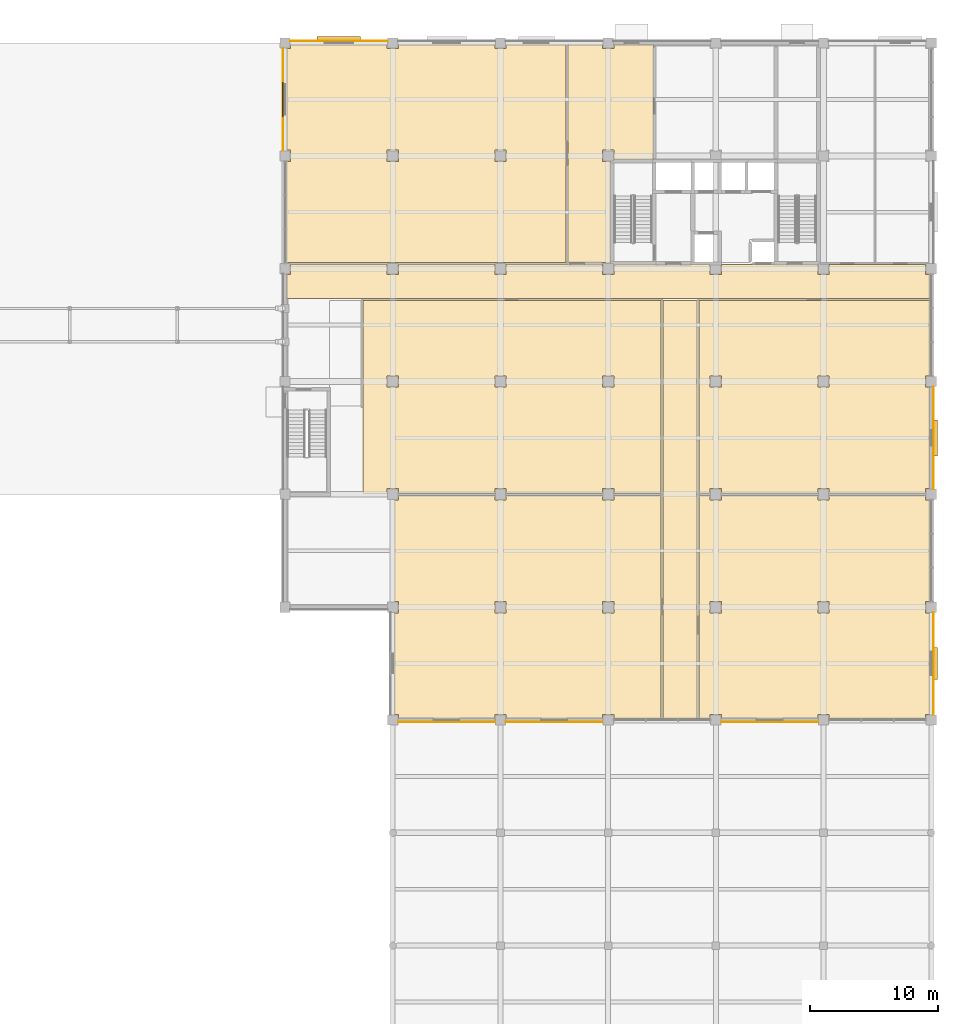
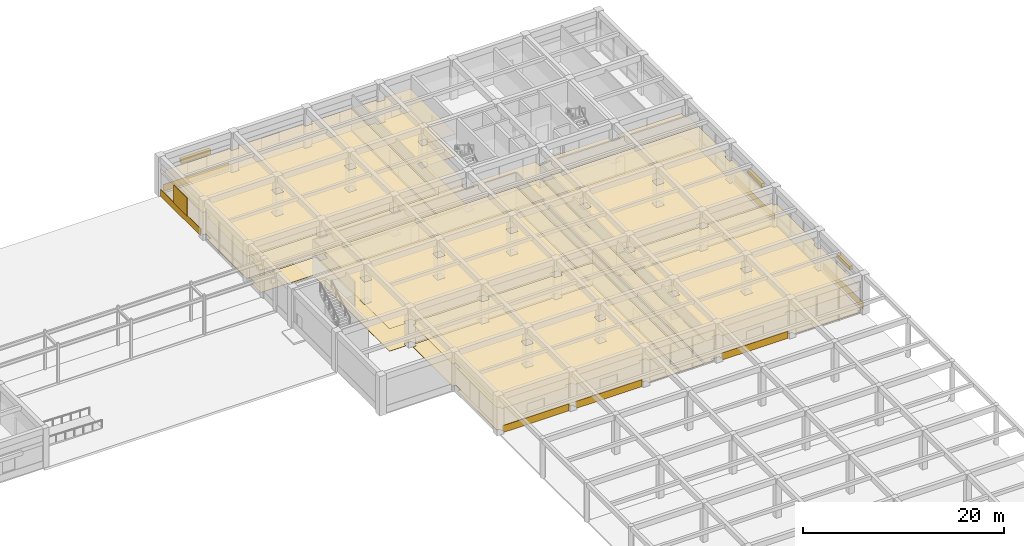
# One storey, part 56 of 58: 23 coverings, 4 shading devices.
"""IFC4 building model written with IfcOpenShell, lengths in metres."""

from ifc_helpers import new_model, si_unit, direction, frame, origin, origin_2d, place, context, subcontext, project, spatial, polyline, rectangle, outline, extrude, material, layer, layer_set, type_object, element, save


model = new_model("IFC4")

# Units and contexts
model_context = context("Model", 3, precision=1e-05, world=origin(), true_north=direction((0.0, 1.0)))
body_context = subcontext(model_context, "Body", "Model", "MODEL_VIEW")
ifc_project = project(units=[si_unit("LENGTHUNIT", "METRE"), si_unit("AREAUNIT", "SQUARE_METRE"), si_unit("VOLUMEUNIT", "CUBIC_METRE"), si_unit("PLANEANGLEUNIT", "RADIAN"), si_unit("MASSUNIT", "GRAM", prefix="KILO")], contexts=[model_context])

# Site, building, storey
site_placement = place(None, origin())
site = spatial("IfcSite", under=ifc_project, at=site_placement, CompositionType="ELEMENT")
building_placement = place(site_placement, origin())
building = spatial("IfcBuilding", under=site, at=building_placement, Name="Kemercrest Conservatory and Botanical Centre", CompositionType="ELEMENT")
storey_placement = place(building_placement, origin())
storey = spatial("IfcBuildingStorey", under=building, at=storey_placement, Name="L00", CompositionType="ELEMENT", Elevation=0.0)

# Coverings
ifc_material_1 = material(Name="Honed limestone almasik ashlar rainscreen", Category="masonry")
ifc_layer_1 = layer(ifc_material_1, 0.0400390625)
ifc_layer_set_1 = layer_set([ifc_layer_1], Name="Honed limestone almasik ashlar rainscreen")
covering_type_1 = type_object("IfcCoveringType", Name="CV-CLD040", PredefinedType="CLADDING", material=ifc_layer_set_1)
covering_1_placement = place(storey_placement, origin())
element("IfcCovering", 1, at=covering_1_placement, inside=storey, type_object=covering_type_1, Name="Exterior stone spandrel cladding (WAL:L00:EXT-158)", PredefinedType="CLADDING", context=body_context, shape_type="SweptSolid", body=[
    extrude(outline(polyline([(134.409912109375, 69.449951171875), (134.409912109375, 69.409912109375), (141.989990234375, 69.409912109375), (141.989990234375, 69.449951171875), (134.409912109375, 69.449951171875)])), origin(), (0.0, 0.0, 1.0), 0.85009765625),
])
covering_2_placement = place(storey_placement, origin())
element("IfcCovering", 2, at=covering_2_placement, inside=storey, type_object=covering_type_1, Name="Exterior stone spandrel cladding (WAL:L00:EXT-159)", PredefinedType="CLADDING", context=body_context, shape_type="SweptSolid", body=[
    extrude(outline(polyline([(142.81005859375, 69.449951171875), (142.81005859375, 69.409912109375), (150.389892578125, 69.409912109375), (150.389892578125, 69.449951171875), (142.81005859375, 69.449951171875)])), origin(), (0.0, 0.0, 1.0), 0.85009765625),
])
covering_3_placement = place(storey_placement, origin())
element("IfcCovering", 3, at=covering_3_placement, inside=storey, type_object=covering_type_1, Name="Exterior stone spandrel cladding (WAL:L00:EXT-160)", PredefinedType="CLADDING", context=body_context, shape_type="SweptSolid", body=[
    extrude(outline(polyline([(159.610107421875, 69.449951171875), (159.610107421875, 69.409912109375), (167.18994140625, 69.409912109375), (167.18994140625, 69.449951171875), (159.610107421875, 69.449951171875)])), origin(), (0.0, 0.0, 1.0), 0.85009765625),
])
covering_4_placement = place(storey_placement, origin())
element("IfcCovering", 4, at=covering_4_placement, inside=storey, type_object=covering_type_1, Name="Exterior stone spandrel cladding (WAL:L00:EXT-161)", PredefinedType="CLADDING", context=body_context, shape_type="SweptSolid", body=[
    extrude(outline(polyline([(176.14990234375, 70.010009765625), (176.18994140625, 70.010009765625), (176.18994140625, 77.989990234375), (176.14990234375, 77.989990234375), (176.14990234375, 70.010009765625)])), origin(), (0.0, 0.0, 1.0), 0.85009765625),
])
covering_5_placement = place(storey_placement, origin())
element("IfcCovering", 5, at=covering_5_placement, inside=storey, type_object=covering_type_1, Name="Exterior stone spandrel cladding (WAL:L00:EXT-162)", PredefinedType="CLADDING", context=body_context, shape_type="SweptSolid", body=[
    extrude(outline(polyline([(176.14990234375, 87.610107421875), (176.18994140625, 87.610107421875), (176.18994140625, 95.590087890625), (176.14990234375, 95.590087890625), (176.14990234375, 87.610107421875)])), origin(), (0.0, 0.0, 1.0), 0.85009765625),
])
covering_6_placement = place(storey_placement, origin())
element("IfcCovering", 6, at=covering_6_placement, inside=storey, type_object=covering_type_1, Name="Exterior stone spandrel cladding (WAL:L00:EXT-169)", PredefinedType="CLADDING", context=body_context, shape_type="SweptSolid", body=[
    extrude(outline(polyline([(133.590087890625, 122.550048828125), (133.590087890625, 122.590087890625), (126.010009765625, 122.590087890625), (126.010009765625, 122.550048828125), (133.590087890625, 122.550048828125)])), origin(), (0.0, 0.0, 1.0), 0.85009765625),
])
covering_7_placement = place(storey_placement, origin())
element("IfcCovering", 7, at=covering_7_placement, inside=storey, type_object=covering_type_1, Name="Exterior stone spandrel cladding (WAL:L00:EXT-170)", PredefinedType="CLADDING", context=body_context, shape_type="SweptSolid", body=[
    extrude(outline(polyline([(125.449951171875, 121.989990234375), (125.409912109375, 121.989990234375), (125.409912109375, 114.010009765625), (125.449951171875, 114.010009765625), (125.449951171875, 121.989990234375)])), origin(), (0.0, 0.0, 1.0), 0.85009765625),
])
ifc_material_2 = material(Name="Perforated acoustic gypsum and mineral-fibre suspended ceiling", Category="gypsum")
ifc_layer_2 = layer(ifc_material_2, 0.034912109375)
ifc_layer_set_2 = layer_set([ifc_layer_2], Name="Perforated acoustic gypsum and mineral-fibre suspended ceiling")
covering_type_2 = type_object("IfcCoveringType", Name="CV-CLG035", PredefinedType="CEILING", material=ifc_layer_set_2)
covering_8_placement = place(storey_placement, frame((0.0, 0.0, 2.699951171875)))
element("IfcCovering", 8, at=covering_8_placement, inside=storey, type_object=covering_type_2, Name="North Exit Passage A suspended acoustic ceiling", PredefinedType="CEILING", context=body_context, shape_type="SweptSolid", body=[
    extrude(outline(polyline([(147.679931640625, 122.320068359375), (147.679931640625, 105.280029296875), (151.02001953125, 105.280029296875), (151.02001953125, 113.159912109375), (150.360107421875, 113.159912109375), (150.360107421875, 114.0400390625), (151.239990234375, 114.0400390625), (151.239990234375, 113.280029296875), (154.320068359375, 113.280029296875), (154.320068359375, 122.320068359375), (151.239990234375, 122.320068359375), (151.239990234375, 121.9599609375), (150.360107421875, 121.9599609375), (150.360107421875, 122.320068359375), (147.679931640625, 122.320068359375)])), origin(), (0.0, 0.0, 1.0), 0.03515625),
])
covering_9_placement = place(storey_placement, frame((0.0, 0.0, 2.699951171875)))
element("IfcCovering", 9, at=covering_9_placement, inside=storey, type_object=covering_type_2, Name="Tower Protected Exit Corridor suspended acoustic ceiling", PredefinedType="CEILING", context=body_context, shape_type="SweptSolid", body=[
    extrude(outline(polyline([(125.679931640625, 102.47998046875), (175.919921875, 102.47998046875), (175.919921875, 104.360107421875), (175.56005859375, 104.360107421875), (175.56005859375, 105.1201171875), (168.0400390625, 105.1201171875), (168.0400390625, 104.360107421875), (167.159912109375, 104.360107421875), (167.159912109375, 105.1201171875), (159.639892578125, 105.1201171875), (159.639892578125, 104.360107421875), (158.760009765625, 104.360107421875), (158.760009765625, 105.1201171875), (151.239990234375, 105.1201171875), (151.239990234375, 104.360107421875), (150.360107421875, 104.360107421875), (150.360107421875, 105.1201171875), (142.840087890625, 105.1201171875), (142.840087890625, 104.360107421875), (141.9599609375, 104.360107421875), (141.9599609375, 105.1201171875), (134.43994140625, 105.1201171875), (134.43994140625, 104.360107421875), (133.56005859375, 104.360107421875), (133.56005859375, 105.1201171875), (126.0400390625, 105.1201171875), (126.0400390625, 104.360107421875), (125.679931640625, 104.360107421875), (125.679931640625, 102.47998046875)])), origin(), (0.0, 0.0, 1.0), 0.03515625),
])
covering_10_placement = place(storey_placement, frame((0.0, 0.0, 2.699951171875)))
element("IfcCovering", 10, at=covering_10_placement, inside=storey, type_object=covering_type_2, Name="South Wing Corridor suspended acoustic ceiling", PredefinedType="CEILING", context=body_context, shape_type="SweptSolid", body=[
    extrude(outline(polyline([(155.080078125, 69.679931640625), (157.719970703125, 69.679931640625), (157.719970703125, 102.320068359375), (155.080078125, 102.320068359375), (155.080078125, 69.679931640625)])), origin(), (0.0, 0.0, 1.0), 0.03515625),
])
covering_11_placement = place(storey_placement, frame((0.0, 0.0, 2.699951171875)))
element("IfcCovering", 11, at=covering_11_placement, inside=storey, type_object=covering_type_2, Name="Tower Entrance Hall suspended acoustic ceiling", PredefinedType="CEILING", context=body_context, shape_type="SweptSolid", body=[
    extrude(outline(polyline([(150.360107421875, 70.0400390625), (151.239990234375, 70.0400390625), (151.239990234375, 69.679931640625), (154.919921875, 69.679931640625), (154.919921875, 87.1201171875), (151.239990234375, 87.1201171875), (151.239990234375, 86.760009765625), (150.360107421875, 86.760009765625), (150.360107421875, 87.1201171875), (142.840087890625, 87.1201171875), (142.840087890625, 86.760009765625), (141.9599609375, 86.760009765625), (141.9599609375, 87.1201171875), (134.43994140625, 87.1201171875), (134.43994140625, 86.760009765625), (134.080078125, 86.760009765625), (134.080078125, 78.840087890625), (134.43994140625, 78.840087890625), (134.43994140625, 77.9599609375), (134.080078125, 77.9599609375), (134.080078125, 70.0400390625), (134.43994140625, 70.0400390625), (134.43994140625, 69.679931640625), (141.9599609375, 69.679931640625), (141.9599609375, 70.0400390625), (142.840087890625, 70.0400390625), (142.840087890625, 69.679931640625), (150.360107421875, 69.679931640625), (150.360107421875, 70.0400390625)]), holes=[polyline([(150.360107421875, 77.9599609375), (150.360107421875, 78.840087890625), (151.239990234375, 78.840087890625), (151.239990234375, 77.9599609375), (150.360107421875, 77.9599609375)]), polyline([(141.9599609375, 77.9599609375), (141.9599609375, 78.840087890625), (142.840087890625, 78.840087890625), (142.840087890625, 77.9599609375), (141.9599609375, 77.9599609375)])]), origin(), (0.0, 0.0, 1.0), 0.03515625),
])
covering_12_placement = place(storey_placement, frame((0.0, 0.0, 2.699951171875)))
element("IfcCovering", 12, at=covering_12_placement, inside=storey, type_object=covering_type_2, Name="Herbarium Receiving and Quarantine Laboratory suspended acoustic ceiling", PredefinedType="CEILING", context=body_context, shape_type="SweptSolid", body=[
    extrude(outline(polyline([(167.159912109375, 70.0400390625), (168.0400390625, 70.0400390625), (168.0400390625, 69.679931640625), (175.56005859375, 69.679931640625), (175.56005859375, 70.0400390625), (175.919921875, 70.0400390625), (175.919921875, 77.9599609375), (175.56005859375, 77.9599609375), (175.56005859375, 78.840087890625), (175.919921875, 78.840087890625), (175.919921875, 86.760009765625), (175.56005859375, 86.760009765625), (175.56005859375, 87.1201171875), (168.0400390625, 87.1201171875), (168.0400390625, 86.760009765625), (167.159912109375, 86.760009765625), (167.159912109375, 87.1201171875), (159.639892578125, 87.1201171875), (159.639892578125, 86.760009765625), (158.760009765625, 86.760009765625), (158.760009765625, 87.1201171875), (157.8798828125, 87.1201171875), (157.8798828125, 69.679931640625), (158.760009765625, 69.679931640625), (158.760009765625, 70.0400390625), (159.639892578125, 70.0400390625), (159.639892578125, 69.679931640625), (167.159912109375, 69.679931640625), (167.159912109375, 70.0400390625)]), holes=[polyline([(167.159912109375, 77.9599609375), (167.159912109375, 78.840087890625), (168.0400390625, 78.840087890625), (168.0400390625, 77.9599609375), (167.159912109375, 77.9599609375)]), polyline([(158.760009765625, 77.9599609375), (158.760009765625, 78.840087890625), (159.639892578125, 78.840087890625), (159.639892578125, 77.9599609375), (158.760009765625, 77.9599609375)])]), origin(), (0.0, 0.0, 1.0), 0.03515625),
])
covering_13_placement = place(storey_placement, frame((0.0, 0.0, 2.699951171875)))
element("IfcCovering", 13, at=covering_13_placement, inside=storey, type_object=covering_type_2, Name="Botanical Specimen Intake Studio suspended acoustic ceiling", PredefinedType="CEILING", context=body_context, shape_type="SweptSolid", body=[
    extrude(outline(polyline([(150.360107421875, 87.639892578125), (151.239990234375, 87.639892578125), (151.239990234375, 87.280029296875), (154.919921875, 87.280029296875), (154.919921875, 102.320068359375), (131.679931640625, 102.320068359375), (131.679931640625, 87.280029296875), (133.56005859375, 87.280029296875), (133.56005859375, 87.639892578125), (134.43994140625, 87.639892578125), (134.43994140625, 87.280029296875), (141.9599609375, 87.280029296875), (141.9599609375, 87.639892578125), (142.840087890625, 87.639892578125), (142.840087890625, 87.280029296875), (150.360107421875, 87.280029296875), (150.360107421875, 87.639892578125)]), holes=[polyline([(150.360107421875, 95.56005859375), (150.360107421875, 96.43994140625), (151.239990234375, 96.43994140625), (151.239990234375, 95.56005859375), (150.360107421875, 95.56005859375)]), polyline([(141.9599609375, 95.56005859375), (141.9599609375, 96.43994140625), (142.840087890625, 96.43994140625), (142.840087890625, 95.56005859375), (141.9599609375, 95.56005859375)]), polyline([(133.56005859375, 95.56005859375), (133.56005859375, 96.43994140625), (134.43994140625, 96.43994140625), (134.43994140625, 95.56005859375), (133.56005859375, 95.56005859375)])]), origin(), (0.0, 0.0, 1.0), 0.03515625),
])
covering_14_placement = place(storey_placement, frame((0.0, 0.0, 2.699951171875)))
element("IfcCovering", 14, at=covering_14_placement, inside=storey, type_object=covering_type_2, Name="Wet Botanical Research Laboratory suspended acoustic ceiling", PredefinedType="CEILING", context=body_context, shape_type="SweptSolid", body=[
    extrude(outline(polyline([(167.159912109375, 87.639892578125), (168.0400390625, 87.639892578125), (168.0400390625, 87.280029296875), (175.56005859375, 87.280029296875), (175.56005859375, 87.639892578125), (175.919921875, 87.639892578125), (175.919921875, 95.56005859375), (175.56005859375, 95.56005859375), (175.56005859375, 96.43994140625), (175.919921875, 96.43994140625), (175.919921875, 102.320068359375), (157.8798828125, 102.320068359375), (157.8798828125, 87.280029296875), (158.760009765625, 87.280029296875), (158.760009765625, 87.639892578125), (159.639892578125, 87.639892578125), (159.639892578125, 87.280029296875), (167.159912109375, 87.280029296875), (167.159912109375, 87.639892578125)]), holes=[polyline([(167.159912109375, 95.56005859375), (167.159912109375, 96.43994140625), (168.0400390625, 96.43994140625), (168.0400390625, 95.56005859375), (167.159912109375, 95.56005859375)]), polyline([(158.760009765625, 95.56005859375), (158.760009765625, 96.43994140625), (159.639892578125, 96.43994140625), (159.639892578125, 95.56005859375), (158.760009765625, 95.56005859375)])]), origin(), (0.0, 0.0, 1.0), 0.03515625),
])
covering_15_placement = place(storey_placement, frame((0.0, 0.0, 2.699951171875)))
element("IfcCovering", 15, at=covering_15_placement, inside=storey, type_object=covering_type_2, Name="Taxonomy Curatorial Office suspended acoustic ceiling", PredefinedType="CEILING", context=body_context, shape_type="SweptSolid", body=[
    extrude(outline(polyline([(126.0400390625, 113.159912109375), (125.679931640625, 113.159912109375), (125.679931640625, 105.280029296875), (147.52001953125, 105.280029296875), (147.52001953125, 122.320068359375), (142.840087890625, 122.320068359375), (142.840087890625, 121.9599609375), (141.9599609375, 121.9599609375), (141.9599609375, 122.320068359375), (134.43994140625, 122.320068359375), (134.43994140625, 121.9599609375), (133.56005859375, 121.9599609375), (133.56005859375, 122.320068359375), (126.0400390625, 122.320068359375), (126.0400390625, 121.9599609375), (125.679931640625, 121.9599609375), (125.679931640625, 114.0400390625), (126.0400390625, 114.0400390625), (126.0400390625, 113.159912109375)]), holes=[polyline([(141.9599609375, 113.159912109375), (141.9599609375, 114.0400390625), (142.840087890625, 114.0400390625), (142.840087890625, 113.159912109375), (141.9599609375, 113.159912109375)]), polyline([(133.56005859375, 113.159912109375), (133.56005859375, 114.0400390625), (134.43994140625, 114.0400390625), (134.43994140625, 113.159912109375), (133.56005859375, 113.159912109375)])]), origin(), (0.0, 0.0, 1.0), 0.03515625),
])
ifc_material_3 = material(Name="Polished limestone terrazzo and seamless laboratory epoxy flooring", Category="masonry")
ifc_layer_3 = layer(ifc_material_3, 0.02001953125)
ifc_layer_set_3 = layer_set([ifc_layer_3], Name="Polished limestone terrazzo and seamless laboratory epoxy flooring")
covering_type_3 = type_object("IfcCoveringType", Name="CV-FLR020", PredefinedType="FLOORING", material=ifc_layer_set_3)
covering_16_placement = place(storey_placement, origin())
element("IfcCovering", 16, at=covering_16_placement, inside=storey, type_object=covering_type_3, Name="North Exit Passage A floor finish", PredefinedType="FLOORING", context=body_context, shape_type="SweptSolid", body=[
    extrude(outline(polyline([(147.679931640625, 122.320068359375), (147.679931640625, 105.280029296875), (151.02001953125, 105.280029296875), (151.02001953125, 113.159912109375), (150.360107421875, 113.159912109375), (150.360107421875, 114.0400390625), (151.239990234375, 114.0400390625), (151.239990234375, 113.280029296875), (154.320068359375, 113.280029296875), (154.320068359375, 122.320068359375), (151.239990234375, 122.320068359375), (151.239990234375, 121.9599609375), (150.360107421875, 121.9599609375), (150.360107421875, 122.320068359375), (147.679931640625, 122.320068359375)])), origin(), (0.0, 0.0, 1.0), 0.02001953125),
])
covering_17_placement = place(storey_placement, origin())
element("IfcCovering", 17, at=covering_17_placement, inside=storey, type_object=covering_type_3, Name="Tower Protected Exit Corridor floor finish", PredefinedType="FLOORING", context=body_context, shape_type="SweptSolid", body=[
    extrude(outline(polyline([(125.679931640625, 102.47998046875), (175.919921875, 102.47998046875), (175.919921875, 104.360107421875), (175.56005859375, 104.360107421875), (175.56005859375, 105.1201171875), (168.0400390625, 105.1201171875), (168.0400390625, 104.360107421875), (167.159912109375, 104.360107421875), (167.159912109375, 105.1201171875), (159.639892578125, 105.1201171875), (159.639892578125, 104.360107421875), (158.760009765625, 104.360107421875), (158.760009765625, 105.1201171875), (151.239990234375, 105.1201171875), (151.239990234375, 104.360107421875), (150.360107421875, 104.360107421875), (150.360107421875, 105.1201171875), (142.840087890625, 105.1201171875), (142.840087890625, 104.360107421875), (141.9599609375, 104.360107421875), (141.9599609375, 105.1201171875), (134.43994140625, 105.1201171875), (134.43994140625, 104.360107421875), (133.56005859375, 104.360107421875), (133.56005859375, 105.1201171875), (126.0400390625, 105.1201171875), (126.0400390625, 104.360107421875), (125.679931640625, 104.360107421875), (125.679931640625, 102.47998046875)])), origin(), (0.0, 0.0, 1.0), 0.02001953125),
])
covering_18_placement = place(storey_placement, origin())
element("IfcCovering", 18, at=covering_18_placement, inside=storey, type_object=covering_type_3, Name="South Wing Corridor floor finish", PredefinedType="FLOORING", context=body_context, shape_type="SweptSolid", body=[
    extrude(outline(polyline([(155.080078125, 69.679931640625), (157.719970703125, 69.679931640625), (157.719970703125, 102.320068359375), (155.080078125, 102.320068359375), (155.080078125, 69.679931640625)])), origin(), (0.0, 0.0, 1.0), 0.02001953125),
])
covering_19_placement = place(storey_placement, origin())
element("IfcCovering", 19, at=covering_19_placement, inside=storey, type_object=covering_type_3, Name="Tower Entrance Hall floor finish", PredefinedType="FLOORING", context=body_context, shape_type="SweptSolid", body=[
    extrude(outline(polyline([(150.360107421875, 70.0400390625), (151.239990234375, 70.0400390625), (151.239990234375, 69.679931640625), (154.919921875, 69.679931640625), (154.919921875, 87.1201171875), (151.239990234375, 87.1201171875), (151.239990234375, 86.760009765625), (150.360107421875, 86.760009765625), (150.360107421875, 87.1201171875), (142.840087890625, 87.1201171875), (142.840087890625, 86.760009765625), (141.9599609375, 86.760009765625), (141.9599609375, 87.1201171875), (134.43994140625, 87.1201171875), (134.43994140625, 86.760009765625), (134.080078125, 86.760009765625), (134.080078125, 78.840087890625), (134.43994140625, 78.840087890625), (134.43994140625, 77.9599609375), (134.080078125, 77.9599609375), (134.080078125, 70.0400390625), (134.43994140625, 70.0400390625), (134.43994140625, 69.679931640625), (141.9599609375, 69.679931640625), (141.9599609375, 70.0400390625), (142.840087890625, 70.0400390625), (142.840087890625, 69.679931640625), (150.360107421875, 69.679931640625), (150.360107421875, 70.0400390625)]), holes=[polyline([(150.360107421875, 77.9599609375), (150.360107421875, 78.840087890625), (151.239990234375, 78.840087890625), (151.239990234375, 77.9599609375), (150.360107421875, 77.9599609375)]), polyline([(141.9599609375, 77.9599609375), (141.9599609375, 78.840087890625), (142.840087890625, 78.840087890625), (142.840087890625, 77.9599609375), (141.9599609375, 77.9599609375)])]), origin(), (0.0, 0.0, 1.0), 0.02001953125),
])
covering_20_placement = place(storey_placement, origin())
element("IfcCovering", 20, at=covering_20_placement, inside=storey, type_object=covering_type_3, Name="Herbarium Receiving and Quarantine Laboratory floor finish", PredefinedType="FLOORING", context=body_context, shape_type="SweptSolid", body=[
    extrude(outline(polyline([(167.159912109375, 70.0400390625), (168.0400390625, 70.0400390625), (168.0400390625, 69.679931640625), (175.56005859375, 69.679931640625), (175.56005859375, 70.0400390625), (175.919921875, 70.0400390625), (175.919921875, 77.9599609375), (175.56005859375, 77.9599609375), (175.56005859375, 78.840087890625), (175.919921875, 78.840087890625), (175.919921875, 86.760009765625), (175.56005859375, 86.760009765625), (175.56005859375, 87.1201171875), (168.0400390625, 87.1201171875), (168.0400390625, 86.760009765625), (167.159912109375, 86.760009765625), (167.159912109375, 87.1201171875), (159.639892578125, 87.1201171875), (159.639892578125, 86.760009765625), (158.760009765625, 86.760009765625), (158.760009765625, 87.1201171875), (157.8798828125, 87.1201171875), (157.8798828125, 69.679931640625), (158.760009765625, 69.679931640625), (158.760009765625, 70.0400390625), (159.639892578125, 70.0400390625), (159.639892578125, 69.679931640625), (167.159912109375, 69.679931640625), (167.159912109375, 70.0400390625)]), holes=[polyline([(167.159912109375, 77.9599609375), (167.159912109375, 78.840087890625), (168.0400390625, 78.840087890625), (168.0400390625, 77.9599609375), (167.159912109375, 77.9599609375)]), polyline([(158.760009765625, 77.9599609375), (158.760009765625, 78.840087890625), (159.639892578125, 78.840087890625), (159.639892578125, 77.9599609375), (158.760009765625, 77.9599609375)])]), origin(), (0.0, 0.0, 1.0), 0.02001953125),
])
covering_21_placement = place(storey_placement, origin())
element("IfcCovering", 21, at=covering_21_placement, inside=storey, type_object=covering_type_3, Name="Botanical Specimen Intake Studio floor finish", PredefinedType="FLOORING", context=body_context, shape_type="SweptSolid", body=[
    extrude(outline(polyline([(150.360107421875, 87.639892578125), (151.239990234375, 87.639892578125), (151.239990234375, 87.280029296875), (154.919921875, 87.280029296875), (154.919921875, 102.320068359375), (131.679931640625, 102.320068359375), (131.679931640625, 87.280029296875), (133.56005859375, 87.280029296875), (133.56005859375, 87.639892578125), (134.43994140625, 87.639892578125), (134.43994140625, 87.280029296875), (141.9599609375, 87.280029296875), (141.9599609375, 87.639892578125), (142.840087890625, 87.639892578125), (142.840087890625, 87.280029296875), (150.360107421875, 87.280029296875), (150.360107421875, 87.639892578125)]), holes=[polyline([(150.360107421875, 95.56005859375), (150.360107421875, 96.43994140625), (151.239990234375, 96.43994140625), (151.239990234375, 95.56005859375), (150.360107421875, 95.56005859375)]), polyline([(141.9599609375, 95.56005859375), (141.9599609375, 96.43994140625), (142.840087890625, 96.43994140625), (142.840087890625, 95.56005859375), (141.9599609375, 95.56005859375)]), polyline([(133.56005859375, 95.56005859375), (133.56005859375, 96.43994140625), (134.43994140625, 96.43994140625), (134.43994140625, 95.56005859375), (133.56005859375, 95.56005859375)])]), origin(), (0.0, 0.0, 1.0), 0.02001953125),
])
covering_22_placement = place(storey_placement, origin())
element("IfcCovering", 22, at=covering_22_placement, inside=storey, type_object=covering_type_3, Name="Wet Botanical Research Laboratory floor finish", PredefinedType="FLOORING", context=body_context, shape_type="SweptSolid", body=[
    extrude(outline(polyline([(167.159912109375, 87.639892578125), (168.0400390625, 87.639892578125), (168.0400390625, 87.280029296875), (175.56005859375, 87.280029296875), (175.56005859375, 87.639892578125), (175.919921875, 87.639892578125), (175.919921875, 95.56005859375), (175.56005859375, 95.56005859375), (175.56005859375, 96.43994140625), (175.919921875, 96.43994140625), (175.919921875, 102.320068359375), (157.8798828125, 102.320068359375), (157.8798828125, 87.280029296875), (158.760009765625, 87.280029296875), (158.760009765625, 87.639892578125), (159.639892578125, 87.639892578125), (159.639892578125, 87.280029296875), (167.159912109375, 87.280029296875), (167.159912109375, 87.639892578125)]), holes=[polyline([(167.159912109375, 95.56005859375), (167.159912109375, 96.43994140625), (168.0400390625, 96.43994140625), (168.0400390625, 95.56005859375), (167.159912109375, 95.56005859375)]), polyline([(158.760009765625, 95.56005859375), (158.760009765625, 96.43994140625), (159.639892578125, 96.43994140625), (159.639892578125, 95.56005859375), (158.760009765625, 95.56005859375)])]), origin(), (0.0, 0.0, 1.0), 0.02001953125),
])
covering_23_placement = place(storey_placement, origin())
element("IfcCovering", 23, at=covering_23_placement, inside=storey, type_object=covering_type_3, Name="Taxonomy Curatorial Office floor finish", PredefinedType="FLOORING", context=body_context, shape_type="SweptSolid", body=[
    extrude(outline(polyline([(126.0400390625, 113.159912109375), (125.679931640625, 113.159912109375), (125.679931640625, 105.280029296875), (147.52001953125, 105.280029296875), (147.52001953125, 122.320068359375), (142.840087890625, 122.320068359375), (142.840087890625, 121.9599609375), (141.9599609375, 121.9599609375), (141.9599609375, 122.320068359375), (134.43994140625, 122.320068359375), (134.43994140625, 121.9599609375), (133.56005859375, 121.9599609375), (133.56005859375, 122.320068359375), (126.0400390625, 122.320068359375), (126.0400390625, 121.9599609375), (125.679931640625, 121.9599609375), (125.679931640625, 114.0400390625), (126.0400390625, 114.0400390625), (126.0400390625, 113.159912109375)]), holes=[polyline([(141.9599609375, 113.159912109375), (141.9599609375, 114.0400390625), (142.840087890625, 114.0400390625), (142.840087890625, 113.159912109375), (141.9599609375, 113.159912109375)]), polyline([(133.56005859375, 113.159912109375), (133.56005859375, 114.0400390625), (134.43994140625, 114.0400390625), (134.43994140625, 113.159912109375), (133.56005859375, 113.159912109375)])]), origin(), (0.0, 0.0, 1.0), 0.02001953125),
])

# Shading devices
ifc_material_4 = material(Name="Architectural bronze-anodized extruded aluminium", Category="aluminium")
shading_device_type_1 = type_object("IfcShadingDeviceType", Name="SH-JL02", PredefinedType="JALOUSIE", material=ifc_material_4)
shading_device_1_placement = place(storey_placement, frame((176.322998046875, 74.0, 3.09521484375), z_axis=(0.0, 0.0, 1.0), x_axis=(0.0, 1.0, 0.0)))
element("IfcShadingDevice", 24, at=shading_device_1_placement, inside=storey, type_object=shading_device_type_1, Name="Solar control louvre visor SH-JL02 (WIN:L00:EXT-161)", PredefinedType="JALOUSIE", context=body_context, shape_type="SweptSolid", body=[
    extrude(rectangle(XDim=2.5, YDim=0.35009765625, at=origin_2d()), origin(), (0.0, 0.0, 1.0), 0.449951171875),
])
shading_device_type_2 = type_object("IfcShadingDeviceType", Name="SH-JL03", PredefinedType="JALOUSIE", material=ifc_material_4)
shading_device_2_placement = place(storey_placement, frame((176.322998046875, 91.60009765625, 2.55517578125), z_axis=(0.0, 0.0, 1.0), x_axis=(0.0, 1.0, 0.0)))
element("IfcShadingDevice", 25, at=shading_device_2_placement, inside=storey, type_object=shading_device_type_2, Name="Solar control louvre visor SH-JL03 (WIN:L00:EXT-162)", PredefinedType="JALOUSIE", context=body_context, shape_type="SweptSolid", body=[
    extrude(rectangle(XDim=2.800048828125, YDim=0.35009765625, at=origin_2d()), origin(), (0.0, 0.0, 1.0), 0.449951171875),
])
shading_device_type_3 = type_object("IfcShadingDeviceType", Name="SH-JL05", PredefinedType="JALOUSIE", material=ifc_material_4)
shading_device_3_placement = place(storey_placement, frame((129.800048828125, 122.722900390625, 2.679931640625), z_axis=(0.0, 0.0, 1.0), x_axis=(-1.0, 0.0, 0.0)))
element("IfcShadingDevice", 26, at=shading_device_3_placement, inside=storey, type_object=shading_device_type_3, Name="Solar control louvre visor SH-JL05 (WIN:L00:EXT-169)", PredefinedType="JALOUSIE", context=body_context, shape_type="SweptSolid", body=[
    extrude(rectangle(XDim=3.39990234375, YDim=0.35009765625, at=origin_2d()), origin(), (0.0, 0.0, 1.0), 0.5),
])
ifc_material_5 = material(Name="Perforated bronze-anodized aluminium", Category="aluminium")
shading_device_type_4 = type_object("IfcShadingDeviceType", Name="SH-MS01", PredefinedType="USERDEFINED", material=ifc_material_5)
shading_device_4_placement = place(storey_placement, frame((125.412109375, 118.0, 0.81982421875), z_axis=(0.0, 0.0, 1.0), x_axis=(0.0, -1.0, 0.0)))
element("IfcShadingDevice", 27, at=shading_device_4_placement, inside=storey, type_object=shading_device_type_4, Name="Ottoman mashrabiya perforated screen SH-MS01 (WIN:L00:EXT-170)", ObjectType="MASHRABIYA SCREEN", PredefinedType="USERDEFINED", context=body_context, shape_type="SweptSolid", body=[
    extrude(rectangle(XDim=2.679931640625, YDim=0.080078125, at=origin_2d()), origin(), (0.0, 0.0, 1.0), 2.159912109375),
])

save(model, "model.ifc")
